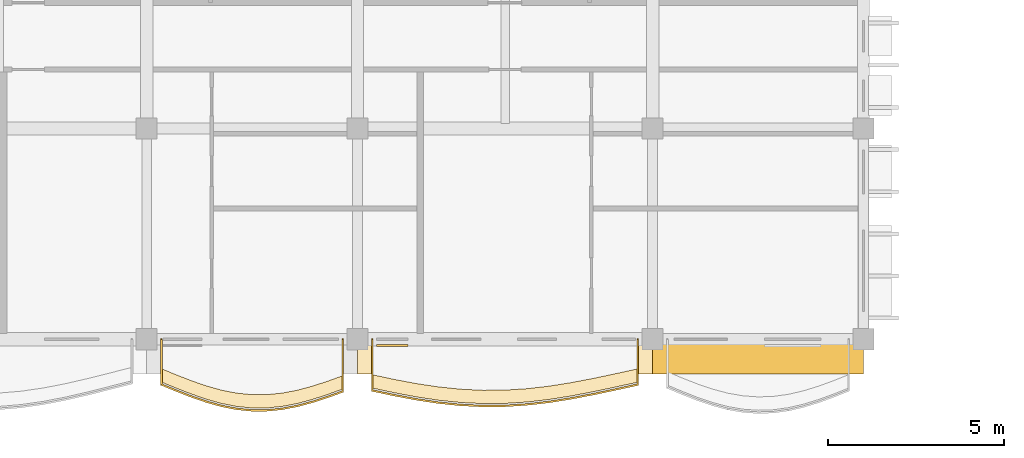
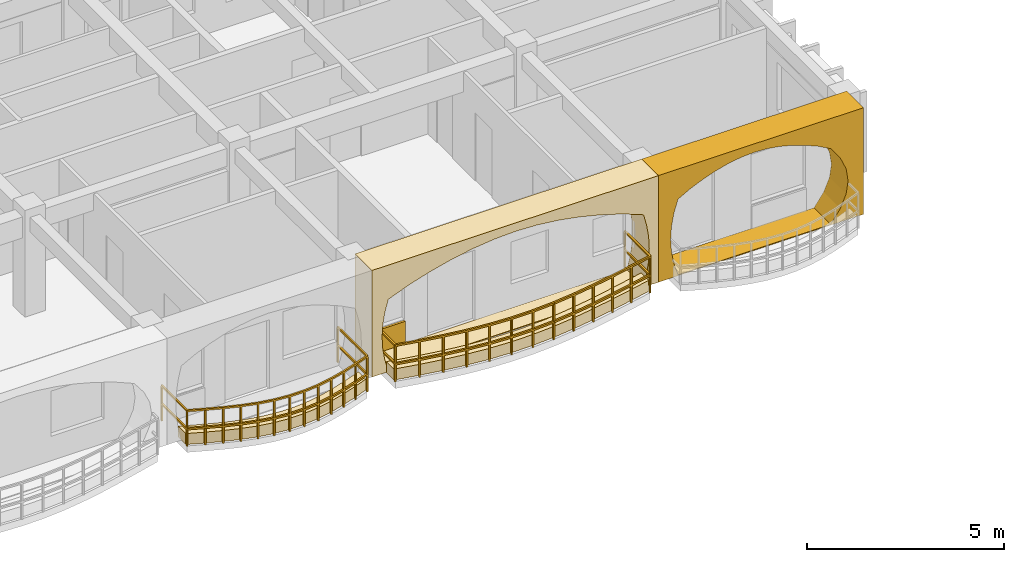
# One storey, part 44 of 70: 5 coverings, 2 railings.
"""IFC4 building model written with IfcOpenShell, lengths in metres."""

from ifc_helpers import new_model, si_unit, direction, frame, origin, origin_2d, place, context, subcontext, project, spatial, polyline, rectangle, outline, extrude, material, layer, layer_set, type_object, element, save


model = new_model("IFC4")

# Units and contexts
model_context = context("Model", 3, precision=1e-05, world=origin(), true_north=direction((0.0, 1.0)))
body_context = subcontext(model_context, "Body", "Model", "MODEL_VIEW")
ifc_project = project(units=[si_unit("LENGTHUNIT", "METRE"), si_unit("AREAUNIT", "SQUARE_METRE"), si_unit("VOLUMEUNIT", "CUBIC_METRE"), si_unit("PLANEANGLEUNIT", "RADIAN"), si_unit("MASSUNIT", "GRAM", prefix="KILO"), si_unit("THERMODYNAMICTEMPERATUREUNIT", "KELVIN")], contexts=[model_context])

# Site, building, storey
site_placement = place(None, origin())
site = spatial("IfcSite", under=ifc_project, at=site_placement, CompositionType="ELEMENT")
building_placement = place(site_placement, origin())
building = spatial("IfcBuilding", under=site, at=building_placement, Name="Thalorik Housing Commons", CompositionType="ELEMENT")
storey_placement = place(building_placement, frame((0.0, 0.0, 14.699951171875)))
storey = spatial("IfcBuildingStorey", under=building, at=storey_placement, Name="L04", CompositionType="ELEMENT", Elevation=14.699951171875)

# Coverings
ifc_material_1 = material(Name="Cobalt blue glazed ceramic facade tile panel", Category="masonry")
ifc_layer_1 = layer(ifc_material_1, 0.06005859375, Name="Cobalt blue glazed ceramic facade tile panel", Category="masonry")
ifc_layer_set_1 = layer_set([ifc_layer_1], Name="Cobalt blue glazed ceramic facade tile panel")
covering_type_1 = type_object("IfcCoveringType", Name="ARC-CLD-BLU-60", PredefinedType="CLADDING", material=ifc_layer_set_1)
covering_1_placement = place(storey_placement, frame((44.18505859375, 8.219970703125, 0.05029296875), z_axis=(0.0, 0.0, 1.0), x_axis=(1.0, 0.0, 0.0)))
element("IfcCovering", 1, at=covering_1_placement, inside=storey, type_object=covering_type_1, Name="L04 De Stijl Recessed Window Spandrel 3853", PredefinedType="CLADDING", context=body_context, shape_type="SweptSolid", body=[
    extrude(rectangle(XDim=0.89990234375, YDim=0.06005859375, at=origin_2d()), origin(), (0.0, 0.0, 1.0), 0.699951171875),
])
ifc_material_2 = material(Name="Precast concrete C40/50", Category="concrete")
ifc_layer_2 = layer(ifc_material_2, 0.85009765625, Name="Precast concrete C40/50", Category="concrete")
ifc_layer_set_2 = layer_set([ifc_layer_2], Name="Precast concrete C40/50")
covering_type_2 = type_object("IfcCoveringType", Name="ARC-CLD-CUSH-850", PredefinedType="CLADDING", material=ifc_layer_set_2)
covering_2_placement = place(storey_placement, frame((47.39990234375, 7.830078125, 0.0), z_axis=(0.0, 0.0, 1.0), x_axis=(1.0, 0.0, 0.0)))
element("IfcCovering", 2, at=covering_2_placement, inside=storey, type_object=covering_type_2, Name="L04 White Precast Curved Cushion Bay Frame 3852", PredefinedType="CLADDING", context=body_context, shape_type="SweptSolid", body=[
    extrude(outline(polyline([(-4.199951171875, 0.0), (4.199951171875, 0.0), (4.199951171875, 3.300048828125), (-4.199951171875, 3.300048828125), (-4.199951171875, 0.0)]), holes=[polyline([(3.760009765625, 0.02490234375), (3.852783203125, 0.394287109375), (3.90869140625, 0.76318359375), (3.92724609375, 1.132568359375), (3.90869140625, 1.501708984375), (3.852783203125, 1.870849609375), (3.760009765625, 2.239990234375), (3.13720703125, 2.4833984375), (2.51416015625, 2.6748046875), (1.89111328125, 2.82958984375), (1.268310546875, 2.94482421875), (0.6455078125, 3.01611328125), (0.0224609375, 3.0400390625), (-0.600341796875, 3.01611328125), (-1.223388671875, 2.94482421875), (-1.84619140625, 2.82958984375), (-2.46923828125, 2.6748046875), (-3.092041015625, 2.4833984375), (-3.715087890625, 2.239990234375), (-3.8173828125, 1.870849609375), (-3.87890625, 1.501708984375), (-3.8994140625, 1.132568359375), (-3.87890625, 0.76318359375), (-3.8173828125, 0.394287109375), (-3.715087890625, 0.02490234375), (3.760009765625, 0.02490234375)])]), frame((0.0, 0.425048828125, 0.0), z_axis=(0.0, -1.0, 0.0), x_axis=(1.0, 0.0, 0.0)), (0.0, 0.0, 1.0), 0.85009765625),
])
covering_3_placement = place(storey_placement, frame((54.60009765625, 7.830078125, 0.0), z_axis=(0.0, 0.0, 1.0), x_axis=(1.0, 0.0, 0.0)))
element("IfcCovering", 3, at=covering_3_placement, inside=storey, type_object=covering_type_2, Name="L04 White Precast Curved Cushion Bay Frame 3854", PredefinedType="CLADDING", context=body_context, shape_type="SweptSolid", body=[
    extrude(outline(polyline([(-3.0, 0.0), (3.0, 0.0), (3.0, 3.300048828125), (-3.0, 3.300048828125), (-3.0, 0.0)]), holes=[polyline([(2.0400390625, 0.02490234375), (2.3232421875, 0.415771484375), (2.493408203125, 0.806640625), (2.550048828125, 1.197509765625), (2.493408203125, 1.58837890625), (2.3232421875, 1.979248046875), (2.0400390625, 2.3701171875), (1.66748046875, 2.573974609375), (1.294921875, 2.734130859375), (0.922607421875, 2.864013671875), (0.550048828125, 2.960205078125), (0.177490234375, 3.02001953125), (-0.195068359375, 3.0400390625), (-0.5673828125, 3.02001953125), (-0.93994140625, 2.960205078125), (-1.3125, 2.864013671875), (-1.68505859375, 2.734130859375), (-2.0576171875, 2.573974609375), (-2.429931640625, 2.3701171875), (-2.55029296875, 1.979248046875), (-2.62255859375, 1.58837890625), (-2.646484375, 1.197509765625), (-2.62255859375, 0.806640625), (-2.55029296875, 0.415771484375), (-2.429931640625, 0.02490234375), (2.0400390625, 0.02490234375)])]), frame((0.0, 0.425048828125, 0.0), z_axis=(0.0, -1.0, 0.0), x_axis=(1.0, 0.0, 0.0)), (0.0, 0.0, 1.0), 0.85009765625),
])
ifc_material_3 = material(Name="Planted vegetated substrate and terracotta trough", Category="masonry")
ifc_layer_3 = layer(ifc_material_3, 0.340087890625, Name="Planted vegetated substrate and terracotta trough", Category="masonry")
ifc_layer_set_3 = layer_set([ifc_layer_3], Name="Planted vegetated substrate and terracotta trough")
covering_type_3 = type_object("IfcCoveringType", Name="ARC-COV-PLANTER", PredefinedType="USERDEFINED", material=ifc_layer_set_3)
covering_4_placement = place(storey_placement, origin())
element("IfcCovering", 4, at=covering_4_placement, inside=storey, type_object=covering_type_3, Name="L04 Balcony Slab-Edge Planted Trough 5594", ObjectType="PLANTER", PredefinedType="USERDEFINED", context=body_context, shape_type="SweptSolid", body=[
    extrude(outline(polyline([(37.6201171875, 7.1806640625), (38.050048828125, 7.00439453125), (38.47998046875, 6.836669921875), (38.909912109375, 6.6884765625), (39.340087890625, 6.56884765625), (39.77001953125, 6.485595703125), (40.199951171875, 6.443603515625), (40.6298828125, 6.444580078125), (41.06005859375, 6.48828125), (41.489990234375, 6.571044921875), (41.919921875, 6.686767578125), (42.35009765625, 6.826904296875), (42.780029296875, 6.982177734375), (42.780029296875, 7.3623046875), (42.35009765625, 7.20703125), (41.919921875, 7.066650390625), (41.489990234375, 6.951171875), (41.06005859375, 6.868408203125), (40.6298828125, 6.82470703125), (40.199951171875, 6.823486328125), (39.77001953125, 6.865478515625), (39.340087890625, 6.948974609375), (38.909912109375, 7.068359375), (38.47998046875, 7.216796875), (38.050048828125, 7.38427734375), (37.6201171875, 7.560546875), (37.6201171875, 7.1806640625)])), origin(), (0.0, 0.0, 1.0), 0.340087890625),
])
covering_5_placement = place(storey_placement, origin())
element("IfcCovering", 5, at=covering_5_placement, inside=storey, type_object=covering_type_3, Name="L04 Balcony Slab-Edge Planted Trough 5595", ObjectType="PLANTER", PredefinedType="USERDEFINED", context=body_context, shape_type="SweptSolid", body=[
    extrude(outline(polyline([(43.6201171875, 7.010498046875), (44.25, 6.87646484375), (44.8798828125, 6.75830078125), (45.510009765625, 6.66357421875), (46.139892578125, 6.598876953125), (46.77001953125, 6.568115234375), (47.39990234375, 6.572998046875), (48.030029296875, 6.61376953125), (48.659912109375, 6.686767578125), (49.2900390625, 6.787109375), (49.919921875, 6.908203125), (50.550048828125, 7.04150390625), (51.179931640625, 7.17822265625), (51.179931640625, 7.558349609375), (50.550048828125, 7.42138671875), (49.919921875, 7.2880859375), (49.2900390625, 7.167236328125), (48.659912109375, 7.066650390625), (48.030029296875, 6.99365234375), (47.39990234375, 6.953125), (46.77001953125, 6.947998046875), (46.139892578125, 6.978759765625), (45.510009765625, 7.043701171875), (44.8798828125, 7.13818359375), (44.25, 7.256591796875), (43.6201171875, 7.390380859375), (43.6201171875, 7.010498046875)])), origin(), (0.0, 0.0, 1.0), 0.340087890625),
])

# Railings
ifc_material_4 = material(Name="Steel S355", Category="steel")
railing_type_1 = type_object("IfcRailingType", Name="ARC-RL-BAL-112", PredefinedType="BALUSTRADE", material=ifc_material_4)
railing_1_placement = place(storey_placement, frame((37.6201171875, 8.39990234375, 0.0)))
element("IfcRailing", 6, at=railing_1_placement, inside=storey, type_object=railing_type_1, Name="L04 Cushion Balcony Guardrail 278", PredefinedType="BALUSTRADE", context=body_context, shape_type="SweptSolid", body=[
    extrude(rectangle(XDim=0.050048828125, YDim=0.050048828125, at=origin_2d()), frame((0.0, 0.0, 1.09521484375), z_axis=(0.0, -1.0, 0.0), x_axis=(1.0, 0.0, 0.0)), (0.0, 0.0, 1.0), 1.289306640625),
    extrude(rectangle(XDim=0.050048828125, YDim=0.050048828125, at=origin_2d()), frame((0.0, 0.0, 0.53515625), z_axis=(0.0, -1.0, 0.0), x_axis=(1.0, 0.0, 0.0)), (0.0, 0.0, 1.0), 1.289306640625),
    extrude(rectangle(XDim=0.050048828125, YDim=0.050048828125, at=origin_2d()), frame((0.0, -1.289306640625, 1.09521484375), z_axis=(0.925253749386, -0.37934878311, 0.0), x_axis=(0.37934878311, 0.925253749386, 0.0)), (0.0, 0.0, 1.0), 0.464599609375),
    extrude(rectangle(XDim=0.050048828125, YDim=0.050048828125, at=origin_2d()), frame((0.0, -1.289306640625, 0.53515625), z_axis=(0.925253749386, -0.37934878311, 0.0), x_axis=(0.37934878311, 0.925253749386, 0.0)), (0.0, 0.0, 1.0), 0.464599609375),
    extrude(rectangle(XDim=0.050048828125, YDim=0.050048828125, at=origin_2d()), frame((0.429931640625, -1.465576171875, 1.09521484375), z_axis=(0.931616942852, -0.363441703429, 0.0), x_axis=(0.363441703429, 0.931616942852, 0.0)), (0.0, 0.0, 1.0), 0.46142578125),
    extrude(rectangle(XDim=0.050048828125, YDim=0.050048828125, at=origin_2d()), frame((0.429931640625, -1.465576171875, 0.53515625), z_axis=(0.931616942852, -0.363441703429, 0.0), x_axis=(0.363441703429, 0.931616942852, 0.0)), (0.0, 0.0, 1.0), 0.46142578125),
    extrude(rectangle(XDim=0.050048828125, YDim=0.050048828125, at=origin_2d()), frame((0.85986328125, -1.63330078125, 1.09521484375), z_axis=(0.945412911086, -0.325874864866, 0.0), x_axis=(0.325874864866, 0.945412911086, 0.0)), (0.0, 0.0, 1.0), 0.454833984375),
    extrude(rectangle(XDim=0.050048828125, YDim=0.050048828125, at=origin_2d()), frame((0.85986328125, -1.63330078125, 0.53515625), z_axis=(0.945412911086, -0.325874864866, 0.0), x_axis=(0.325874864866, 0.945412911086, 0.0)), (0.0, 0.0, 1.0), 0.454833984375),
    extrude(rectangle(XDim=0.050048828125, YDim=0.050048828125, at=origin_2d()), frame((1.289794921875, -1.781494140625, 1.09521484375), z_axis=(0.963439532045, -0.267925863054, 0.0), x_axis=(0.267925863054, 0.963439532045, 0.0)), (0.0, 0.0, 1.0), 0.446533203125),
    extrude(rectangle(XDim=0.050048828125, YDim=0.050048828125, at=origin_2d()), frame((1.289794921875, -1.781494140625, 0.53515625), z_axis=(0.963439532045, -0.267925863054, 0.0), x_axis=(0.267925863054, 0.963439532045, 0.0)), (0.0, 0.0, 1.0), 0.446533203125),
    extrude(rectangle(XDim=0.050048828125, YDim=0.050048828125, at=origin_2d()), frame((1.719970703125, -1.901123046875, 1.09521484375), z_axis=(0.981763071343, -0.190108578835, 0.0), x_axis=(0.190108578835, 0.981763071343, 0.0)), (0.0, 0.0, 1.0), 0.43798828125),
    extrude(rectangle(XDim=0.050048828125, YDim=0.050048828125, at=origin_2d()), frame((1.719970703125, -1.901123046875, 0.53515625), z_axis=(0.981763071343, -0.190108578835, 0.0), x_axis=(0.190108578835, 0.981763071343, 0.0)), (0.0, 0.0, 1.0), 0.43798828125),
    extrude(rectangle(XDim=0.050048828125, YDim=0.050048828125, at=origin_2d()), frame((2.14990234375, -1.984375, 1.09521484375), z_axis=(0.995263970634, -0.097209200993, 0.0), x_axis=(0.097209200993, 0.995263970634, 0.0)), (0.0, 0.0, 1.0), 0.431884765625),
    extrude(rectangle(XDim=0.050048828125, YDim=0.050048828125, at=origin_2d()), frame((2.14990234375, -1.984375, 0.53515625), z_axis=(0.995263970634, -0.097209200993, 0.0), x_axis=(0.097209200993, 0.995263970634, 0.0)), (0.0, 0.0, 1.0), 0.431884765625),
    extrude(rectangle(XDim=0.050048828125, YDim=0.050048828125, at=origin_2d()), frame((2.579833984375, -2.0263671875, 1.09521484375), z_axis=(0.999997420298, 0.002271430824, 0.0), x_axis=(-0.002271430824, 0.999997420298, 0.0)), (0.0, 0.0, 1.0), 0.429931640625),
    extrude(rectangle(XDim=0.050048828125, YDim=0.050048828125, at=origin_2d()), frame((2.579833984375, -2.0263671875, 0.53515625), z_axis=(0.999997420298, 0.002271430824, 0.0), x_axis=(-0.002271430824, 0.999997420298, 0.0)), (0.0, 0.0, 1.0), 0.429931640625),
    extrude(rectangle(XDim=0.050048828125, YDim=0.050048828125, at=origin_2d()), frame((3.009765625, -2.025390625, 1.09521484375), z_axis=(0.994879427692, 0.101068908943, 0.0), x_axis=(-0.101068908943, 0.994879427692, 0.0)), (0.0, 0.0, 1.0), 0.432373046875),
    extrude(rectangle(XDim=0.050048828125, YDim=0.050048828125, at=origin_2d()), frame((3.009765625, -2.025390625, 0.53515625), z_axis=(0.994879427692, 0.101068908943, 0.0), x_axis=(-0.101068908943, 0.994879427692, 0.0)), (0.0, 0.0, 1.0), 0.432373046875),
    extrude(rectangle(XDim=0.050048828125, YDim=0.050048828125, at=origin_2d()), frame((3.43994140625, -1.981689453125, 1.09521484375), z_axis=(0.981866988542, 0.189571139185, 0.0), x_axis=(-0.189571139185, 0.981866988542, 0.0)), (0.0, 0.0, 1.0), 0.43798828125),
    extrude(rectangle(XDim=0.050048828125, YDim=0.050048828125, at=origin_2d()), frame((3.43994140625, -1.981689453125, 0.53515625), z_axis=(0.981866988542, 0.189571139185, 0.0), x_axis=(-0.189571139185, 0.981866988542, 0.0)), (0.0, 0.0, 1.0), 0.43798828125),
    extrude(rectangle(XDim=0.050048828125, YDim=0.050048828125, at=origin_2d()), frame((3.869873046875, -1.898681640625, 1.09521484375), z_axis=(0.965769147918, 0.259403070395, 0.0), x_axis=(-0.259403070395, 0.965769147918, 0.0)), (0.0, 0.0, 1.0), 0.445068359375),
    extrude(rectangle(XDim=0.050048828125, YDim=0.050048828125, at=origin_2d()), frame((3.869873046875, -1.898681640625, 0.53515625), z_axis=(0.965769147918, 0.259403070395, 0.0), x_axis=(-0.259403070395, 0.965769147918, 0.0)), (0.0, 0.0, 1.0), 0.445068359375),
    extrude(rectangle(XDim=0.050048828125, YDim=0.050048828125, at=origin_2d()), frame((4.2998046875, -1.783203125, 1.09521484375), z_axis=(0.950660674231, 0.310232626381, 0.0), x_axis=(-0.310232626381, 0.950660674231, 0.0)), (0.0, 0.0, 1.0), 0.452392578125),
    extrude(rectangle(XDim=0.050048828125, YDim=0.050048828125, at=origin_2d()), frame((4.2998046875, -1.783203125, 0.53515625), z_axis=(0.950660674231, 0.310232626381, 0.0), x_axis=(-0.310232626381, 0.950660674231, 0.0)), (0.0, 0.0, 1.0), 0.452392578125),
    extrude(rectangle(XDim=0.050048828125, YDim=0.050048828125, at=origin_2d()), frame((4.72998046875, -1.642822265625, 1.09521484375), z_axis=(0.940710228543, 0.339211240843, 0.0), x_axis=(-0.339211240843, 0.940710228543, 0.0)), (0.0, 0.0, 1.0), 0.45703125),
    extrude(rectangle(XDim=0.050048828125, YDim=0.050048828125, at=origin_2d()), frame((4.72998046875, -1.642822265625, 0.53515625), z_axis=(0.940710228543, 0.339211240843, 0.0), x_axis=(-0.339211240843, 0.940710228543, 0.0)), (0.0, 0.0, 1.0), 0.45703125),
    extrude(rectangle(XDim=0.050048828125, YDim=0.050048828125, at=origin_2d()), frame((5.159912109375, -1.48779296875, 1.09521484375), z_axis=(0.0, 1.0, 0.0), x_axis=(-1.0, 0.0, 0.0)), (0.0, 0.0, 1.0), 1.48779296875),
    extrude(rectangle(XDim=0.050048828125, YDim=0.050048828125, at=origin_2d()), frame((5.159912109375, -1.48779296875, 0.53515625), z_axis=(0.0, 1.0, 0.0), x_axis=(-1.0, 0.0, 0.0)), (0.0, 0.0, 1.0), 1.48779296875),
    extrude(rectangle(XDim=0.0419921875, YDim=0.0419921875, at=origin_2d()), origin(), (0.0, 0.0, 1.0), 1.070068359375),
    extrude(rectangle(XDim=0.0419921875, YDim=0.0419921875, at=origin_2d()), frame((0.0, -1.289306640625, 0.0)), (0.0, 0.0, 1.0), 1.070068359375),
    extrude(rectangle(XDim=0.0419921875, YDim=0.0419921875, at=origin_2d()), frame((0.429931640625, -1.465576171875, 0.0)), (0.0, 0.0, 1.0), 1.070068359375),
    extrude(rectangle(XDim=0.0419921875, YDim=0.0419921875, at=origin_2d()), frame((0.85986328125, -1.63330078125, 0.0)), (0.0, 0.0, 1.0), 1.070068359375),
    extrude(rectangle(XDim=0.0419921875, YDim=0.0419921875, at=origin_2d()), frame((1.289794921875, -1.781494140625, 0.0)), (0.0, 0.0, 1.0), 1.070068359375),
    extrude(rectangle(XDim=0.0419921875, YDim=0.0419921875, at=origin_2d()), frame((1.719970703125, -1.901123046875, 0.0)), (0.0, 0.0, 1.0), 1.070068359375),
    extrude(rectangle(XDim=0.0419921875, YDim=0.0419921875, at=origin_2d()), frame((2.14990234375, -1.984375, 0.0)), (0.0, 0.0, 1.0), 1.070068359375),
    extrude(rectangle(XDim=0.0419921875, YDim=0.0419921875, at=origin_2d()), frame((2.579833984375, -2.0263671875, 0.0)), (0.0, 0.0, 1.0), 1.070068359375),
    extrude(rectangle(XDim=0.0419921875, YDim=0.0419921875, at=origin_2d()), frame((3.009765625, -2.025390625, 0.0)), (0.0, 0.0, 1.0), 1.070068359375),
    extrude(rectangle(XDim=0.0419921875, YDim=0.0419921875, at=origin_2d()), frame((3.43994140625, -1.981689453125, 0.0)), (0.0, 0.0, 1.0), 1.070068359375),
    extrude(rectangle(XDim=0.0419921875, YDim=0.0419921875, at=origin_2d()), frame((3.869873046875, -1.898681640625, 0.0)), (0.0, 0.0, 1.0), 1.070068359375),
    extrude(rectangle(XDim=0.0419921875, YDim=0.0419921875, at=origin_2d()), frame((4.2998046875, -1.783203125, 0.0)), (0.0, 0.0, 1.0), 1.070068359375),
    extrude(rectangle(XDim=0.0419921875, YDim=0.0419921875, at=origin_2d()), frame((4.72998046875, -1.642822265625, 0.0)), (0.0, 0.0, 1.0), 1.070068359375),
    extrude(rectangle(XDim=0.0419921875, YDim=0.0419921875, at=origin_2d()), frame((5.159912109375, -1.48779296875, 0.0)), (0.0, 0.0, 1.0), 1.070068359375),
    extrude(rectangle(XDim=0.0419921875, YDim=0.0419921875, at=origin_2d()), frame((5.159912109375, 0.0, 0.0)), (0.0, 0.0, 1.0), 1.070068359375),
])
railing_type_2 = type_object("IfcRailingType", Name="ARC-RL-BAL-115", PredefinedType="BALUSTRADE", material=ifc_material_4)
railing_2_placement = place(storey_placement, frame((43.6201171875, 8.39990234375, 0.0)))
element("IfcRailing", 7, at=railing_2_placement, inside=storey, type_object=railing_type_2, Name="L04 Cushion Balcony Guardrail 279", PredefinedType="BALUSTRADE", context=body_context, shape_type="SweptSolid", body=[
    extrude(rectangle(XDim=0.050048828125, YDim=0.050048828125, at=origin_2d()), frame((0.0, 0.0, 1.125), z_axis=(0.0, -1.0, 0.0), x_axis=(1.0, 0.0, 0.0)), (0.0, 0.0, 1.0), 1.45947265625),
    extrude(rectangle(XDim=0.050048828125, YDim=0.050048828125, at=origin_2d()), frame((0.0, 0.0, 0.5498046875), z_axis=(0.0, -1.0, 0.0), x_axis=(1.0, 0.0, 0.0)), (0.0, 0.0, 1.0), 1.45947265625),
    extrude(rectangle(XDim=0.050048828125, YDim=0.050048828125, at=origin_2d()), frame((0.0, -1.45947265625, 1.125), z_axis=(0.978101003086, -0.208130794843, 0.0), x_axis=(0.208130794843, 0.978101003086, 0.0)), (0.0, 0.0, 1.0), 0.64404296875),
    extrude(rectangle(XDim=0.050048828125, YDim=0.050048828125, at=origin_2d()), frame((0.0, -1.45947265625, 0.5498046875), z_axis=(0.978101003086, -0.208130794843, 0.0), x_axis=(0.208130794843, 0.978101003086, 0.0)), (0.0, 0.0, 1.0), 0.64404296875),
    extrude(rectangle(XDim=0.050048828125, YDim=0.050048828125, at=origin_2d()), frame((0.6298828125, -1.593505859375, 1.125), z_axis=(0.982854931993, -0.18438053763, 0.0), x_axis=(0.18438053763, 0.982854931993, 0.0)), (0.0, 0.0, 1.0), 0.640869140625),
    extrude(rectangle(XDim=0.050048828125, YDim=0.050048828125, at=origin_2d()), frame((0.6298828125, -1.593505859375, 0.5498046875), z_axis=(0.982854931993, -0.18438053763, 0.0), x_axis=(0.18438053763, 0.982854931993, 0.0)), (0.0, 0.0, 1.0), 0.640869140625),
    extrude(rectangle(XDim=0.050048828125, YDim=0.050048828125, at=origin_2d()), frame((1.259765625, -1.711669921875, 1.125), z_axis=(0.988888525973, -0.148658949274, 0.0), x_axis=(0.148658949274, 0.988888525973, 0.0)), (0.0, 0.0, 1.0), 0.63720703125),
    extrude(rectangle(XDim=0.050048828125, YDim=0.050048828125, at=origin_2d()), frame((1.259765625, -1.711669921875, 0.5498046875), z_axis=(0.988888525973, -0.148658949274, 0.0), x_axis=(0.148658949274, 0.988888525973, 0.0)), (0.0, 0.0, 1.0), 0.63720703125),
    extrude(rectangle(XDim=0.050048828125, YDim=0.050048828125, at=origin_2d()), frame((1.889892578125, -1.806396484375, 1.125), z_axis=(0.994766376321, -0.102175616173, 0.0), x_axis=(0.102175616173, 0.994766376321, 0.0)), (0.0, 0.0, 1.0), 0.63330078125),
    extrude(rectangle(XDim=0.050048828125, YDim=0.050048828125, at=origin_2d()), frame((1.889892578125, -1.806396484375, 0.5498046875), z_axis=(0.994766376321, -0.102175616173, 0.0), x_axis=(0.102175616173, 0.994766376321, 0.0)), (0.0, 0.0, 1.0), 0.63330078125),
    extrude(rectangle(XDim=0.050048828125, YDim=0.050048828125, at=origin_2d()), frame((2.519775390625, -1.87109375, 1.125), z_axis=(0.998810513093, -0.048760218772, 0.0), x_axis=(0.048760218772, 0.998810513093, 0.0)), (0.0, 0.0, 1.0), 0.630859375),
    extrude(rectangle(XDim=0.050048828125, YDim=0.050048828125, at=origin_2d()), frame((2.519775390625, -1.87109375, 0.5498046875), z_axis=(0.998810513093, -0.048760218772, 0.0), x_axis=(0.048760218772, 0.998810513093, 0.0)), (0.0, 0.0, 1.0), 0.630859375),
    extrude(rectangle(XDim=0.050048828125, YDim=0.050048828125, at=origin_2d()), frame((3.14990234375, -1.90185546875, 1.125), z_axis=(0.999966875632, 0.008139265267, 0.0), x_axis=(-0.008139265267, 0.999966875632, 0.0)), (0.0, 0.0, 1.0), 0.6298828125),
    extrude(rectangle(XDim=0.050048828125, YDim=0.050048828125, at=origin_2d()), frame((3.14990234375, -1.90185546875, 0.5498046875), z_axis=(0.999966875632, 0.008139265267, 0.0), x_axis=(-0.008139265267, 0.999966875632, 0.0)), (0.0, 0.0, 1.0), 0.6298828125),
    extrude(rectangle(XDim=0.050048828125, YDim=0.050048828125, at=origin_2d()), frame((3.77978515625, -1.896728515625, 1.125), z_axis=(0.997938110663, 0.064183543731, 0.0), x_axis=(-0.064183543731, 0.997938110663, 0.0)), (0.0, 0.0, 1.0), 0.63134765625),
    extrude(rectangle(XDim=0.050048828125, YDim=0.050048828125, at=origin_2d()), frame((3.77978515625, -1.896728515625, 0.5498046875), z_axis=(0.997938110663, 0.064183543731, 0.0), x_axis=(-0.064183543731, 0.997938110663, 0.0)), (0.0, 0.0, 1.0), 0.63134765625),
    extrude(rectangle(XDim=0.050048828125, YDim=0.050048828125, at=origin_2d()), frame((4.409912109375, -1.856201171875, 1.125), z_axis=(0.993351480173, 0.115120966113, 0.0), x_axis=(-0.115120966113, 0.993351480173, 0.0)), (0.0, 0.0, 1.0), 0.634033203125),
    extrude(rectangle(XDim=0.050048828125, YDim=0.050048828125, at=origin_2d()), frame((4.409912109375, -1.856201171875, 0.5498046875), z_axis=(0.993351480173, 0.115120966113, 0.0), x_axis=(-0.115120966113, 0.993351480173, 0.0)), (0.0, 0.0, 1.0), 0.634033203125),
    extrude(rectangle(XDim=0.050048828125, YDim=0.050048828125, at=origin_2d()), frame((5.039794921875, -1.783203125, 1.125), z_axis=(0.987497867862, 0.157632360155, 0.0), x_axis=(-0.157632360155, 0.987497867862, 0.0)), (0.0, 0.0, 1.0), 0.63818359375),
    extrude(rectangle(XDim=0.050048828125, YDim=0.050048828125, at=origin_2d()), frame((5.039794921875, -1.783203125, 0.5498046875), z_axis=(0.987497867862, 0.157632360155, 0.0), x_axis=(-0.157632360155, 0.987497867862, 0.0)), (0.0, 0.0, 1.0), 0.63818359375),
    extrude(rectangle(XDim=0.050048828125, YDim=0.050048828125, at=origin_2d()), frame((5.669921875, -1.6826171875, 1.125), z_axis=(0.982087808033, 0.188423823634, 0.0), x_axis=(-0.188423823634, 0.982087808033, 0.0)), (0.0, 0.0, 1.0), 0.641357421875),
    extrude(rectangle(XDim=0.050048828125, YDim=0.050048828125, at=origin_2d()), frame((5.669921875, -1.6826171875, 0.5498046875), z_axis=(0.982087808033, 0.188423823634, 0.0), x_axis=(-0.188423823634, 0.982087808033, 0.0)), (0.0, 0.0, 1.0), 0.641357421875),
    extrude(rectangle(XDim=0.050048828125, YDim=0.050048828125, at=origin_2d()), frame((6.2998046875, -1.561767578125, 1.125), z_axis=(0.978348227117, 0.206965568387, 0.0), x_axis=(-0.206965568387, 0.978348227117, 0.0)), (0.0, 0.0, 1.0), 0.64404296875),
    extrude(rectangle(XDim=0.050048828125, YDim=0.050048828125, at=origin_2d()), frame((6.2998046875, -1.561767578125, 0.5498046875), z_axis=(0.978348227117, 0.206965568387, 0.0), x_axis=(-0.206965568387, 0.978348227117, 0.0)), (0.0, 0.0, 1.0), 0.64404296875),
    extrude(rectangle(XDim=0.050048828125, YDim=0.050048828125, at=origin_2d()), frame((6.929931640625, -1.428466796875, 1.125), z_axis=(0.977166107914, 0.212476816488, 0.0), x_axis=(-0.212476816488, 0.977166107914, 0.0)), (0.0, 0.0, 1.0), 0.64453125),
    extrude(rectangle(XDim=0.050048828125, YDim=0.050048828125, at=origin_2d()), frame((6.929931640625, -1.428466796875, 0.5498046875), z_axis=(0.977166107914, 0.212476816488, 0.0), x_axis=(-0.212476816488, 0.977166107914, 0.0)), (0.0, 0.0, 1.0), 0.64453125),
    extrude(rectangle(XDim=0.050048828125, YDim=0.050048828125, at=origin_2d()), frame((7.559814453125, -1.29150390625, 1.125), z_axis=(0.0, 1.0, 0.0), x_axis=(-1.0, 0.0, 0.0)), (0.0, 0.0, 1.0), 1.29150390625),
    extrude(rectangle(XDim=0.050048828125, YDim=0.050048828125, at=origin_2d()), frame((7.559814453125, -1.29150390625, 0.5498046875), z_axis=(0.0, 1.0, 0.0), x_axis=(-1.0, 0.0, 0.0)), (0.0, 0.0, 1.0), 1.29150390625),
    extrude(rectangle(XDim=0.0419921875, YDim=0.0419921875, at=origin_2d()), origin(), (0.0, 0.0, 1.0), 1.099853515625),
    extrude(rectangle(XDim=0.0419921875, YDim=0.0419921875, at=origin_2d()), frame((0.0, -1.45947265625, 0.0)), (0.0, 0.0, 1.0), 1.099853515625),
    extrude(rectangle(XDim=0.0419921875, YDim=0.0419921875, at=origin_2d()), frame((0.6298828125, -1.593505859375, 0.0)), (0.0, 0.0, 1.0), 1.099853515625),
    extrude(rectangle(XDim=0.0419921875, YDim=0.0419921875, at=origin_2d()), frame((1.259765625, -1.711669921875, 0.0)), (0.0, 0.0, 1.0), 1.099853515625),
    extrude(rectangle(XDim=0.0419921875, YDim=0.0419921875, at=origin_2d()), frame((1.889892578125, -1.806396484375, 0.0)), (0.0, 0.0, 1.0), 1.099853515625),
    extrude(rectangle(XDim=0.0419921875, YDim=0.0419921875, at=origin_2d()), frame((2.519775390625, -1.87109375, 0.0)), (0.0, 0.0, 1.0), 1.099853515625),
    extrude(rectangle(XDim=0.0419921875, YDim=0.0419921875, at=origin_2d()), frame((3.14990234375, -1.90185546875, 0.0)), (0.0, 0.0, 1.0), 1.099853515625),
    extrude(rectangle(XDim=0.0419921875, YDim=0.0419921875, at=origin_2d()), frame((3.77978515625, -1.896728515625, 0.0)), (0.0, 0.0, 1.0), 1.099853515625),
    extrude(rectangle(XDim=0.0419921875, YDim=0.0419921875, at=origin_2d()), frame((4.409912109375, -1.856201171875, 0.0)), (0.0, 0.0, 1.0), 1.099853515625),
    extrude(rectangle(XDim=0.0419921875, YDim=0.0419921875, at=origin_2d()), frame((5.039794921875, -1.783203125, 0.0)), (0.0, 0.0, 1.0), 1.099853515625),
    extrude(rectangle(XDim=0.0419921875, YDim=0.0419921875, at=origin_2d()), frame((5.669921875, -1.6826171875, 0.0)), (0.0, 0.0, 1.0), 1.099853515625),
    extrude(rectangle(XDim=0.0419921875, YDim=0.0419921875, at=origin_2d()), frame((6.2998046875, -1.561767578125, 0.0)), (0.0, 0.0, 1.0), 1.099853515625),
    extrude(rectangle(XDim=0.0419921875, YDim=0.0419921875, at=origin_2d()), frame((6.929931640625, -1.428466796875, 0.0)), (0.0, 0.0, 1.0), 1.099853515625),
    extrude(rectangle(XDim=0.0419921875, YDim=0.0419921875, at=origin_2d()), frame((7.559814453125, -1.29150390625, 0.0)), (0.0, 0.0, 1.0), 1.099853515625),
    extrude(rectangle(XDim=0.0419921875, YDim=0.0419921875, at=origin_2d()), frame((7.559814453125, 0.0, 0.0)), (0.0, 0.0, 1.0), 1.099853515625),
])

save(model, "model.ifc")
